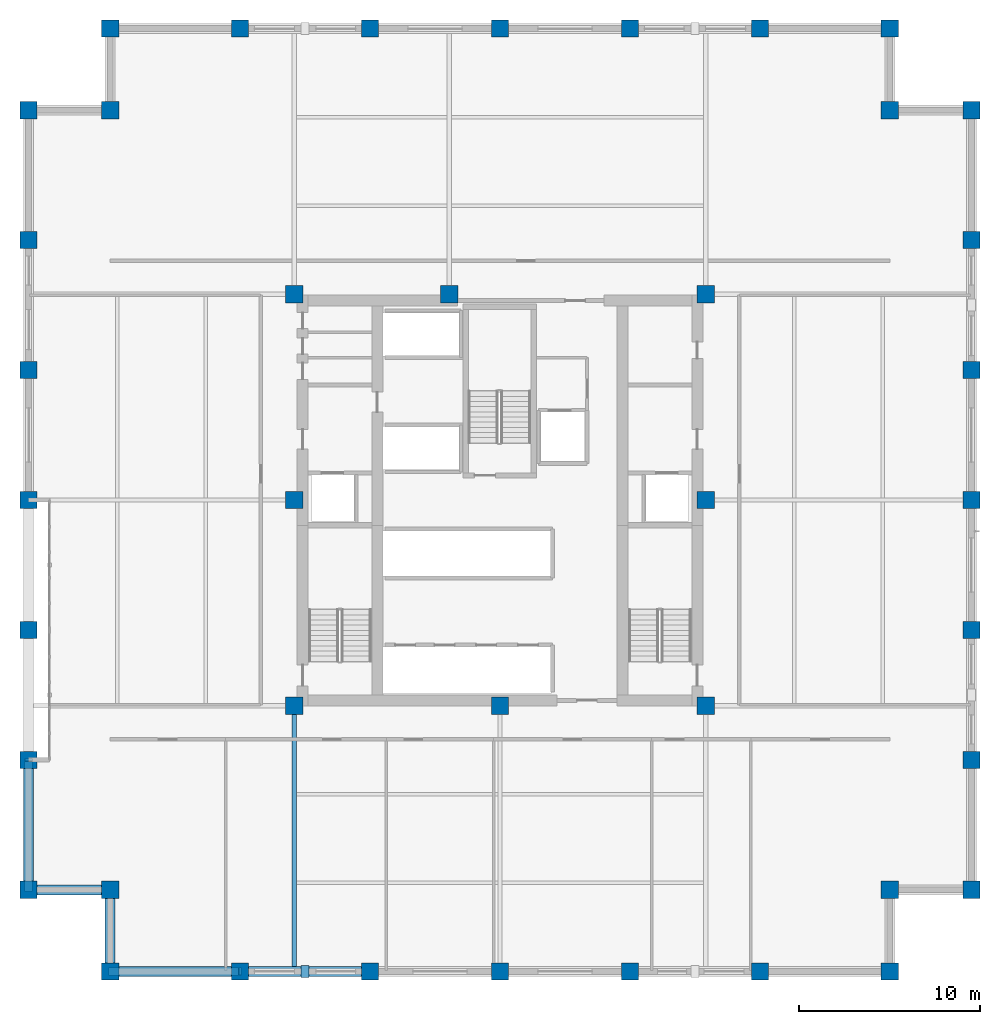
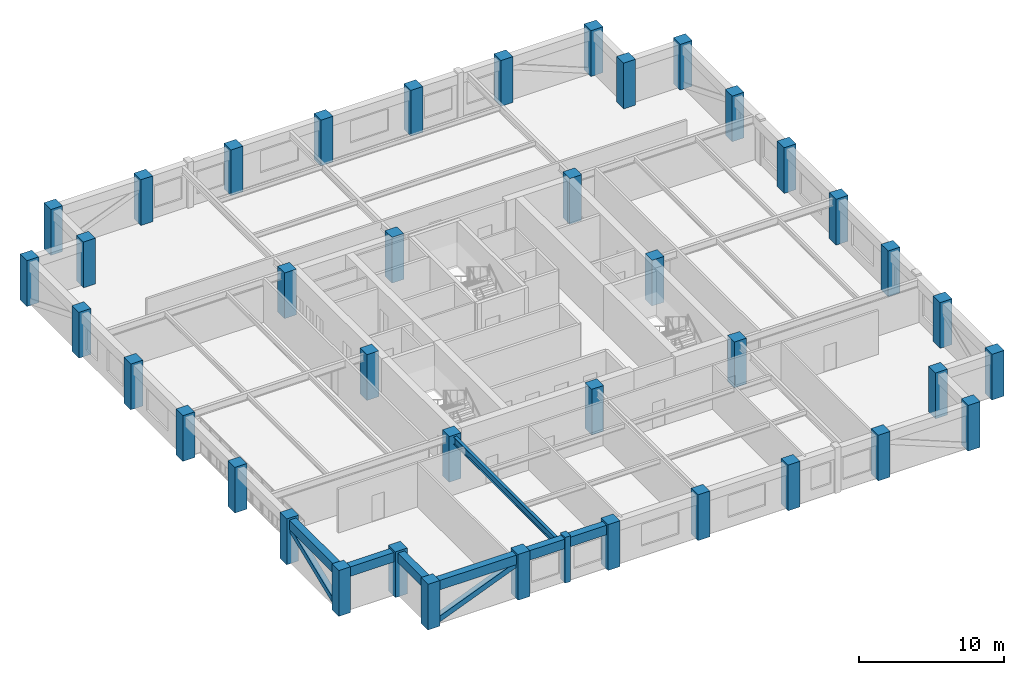
# One storey, part 1 of 12: 40 columns, 6 beams, 3 members.
"""IFC4 building model written with IfcOpenShell, lengths in metres."""

from ifc_helpers import new_model, si_unit, direction, frame, origin, origin_2d, place, context, subcontext, project, spatial, rectangle, hollow_rectangle, i_section, extrude, material, material_profile, profile_set, type_object, element, save


model = new_model("IFC4")

# Units and contexts
model_context = context("Model", 3, precision=1e-05, world=origin(), true_north=direction((0.0, 1.0)))
body_context = subcontext(model_context, "Body", "Model", "MODEL_VIEW")
ifc_project = project(units=[si_unit("LENGTHUNIT", "METRE"), si_unit("AREAUNIT", "SQUARE_METRE"), si_unit("VOLUMEUNIT", "CUBIC_METRE"), si_unit("PLANEANGLEUNIT", "RADIAN"), si_unit("MASSUNIT", "GRAM", prefix="KILO")], contexts=[model_context])

# Site, building, storey
site_placement = place(None, origin())
site = spatial("IfcSite", under=ifc_project, at=site_placement, CompositionType="ELEMENT")
building_placement = place(site_placement, origin())
building = spatial("IfcBuilding", under=site, at=building_placement, Name="Nhamokura Convention Tower", CompositionType="ELEMENT")
storey_placement = place(building_placement, frame((0.0, 0.0, 164.5)))
storey = spatial("IfcBuildingStorey", under=building, at=storey_placement, Name="L40", CompositionType="ELEMENT", Elevation=164.5)

# Columns
ifc_material_1 = material(Name="Concrete C60/75", Category="concrete")
ifc_material_profile_1 = material_profile(ifc_material_1, rectangle(XDim=0.949951171875, YDim=0.949951171875, at=origin_2d()))
ifc_profile_set_1 = profile_set([ifc_material_profile_1], Name="Concrete C60/75")
column_type = type_object("IfcColumnType", Name="TubeColumn_Z2_950", PredefinedType="COLUMN", material=ifc_profile_set_1)
for number, where, z_axis, x_axis, name in (
    (1, (20.64990234375, 20.64990234375, 0.0), (0.0, 0.0, 1.0), (1.0, 0.0, 0.0), "L40 Core Column CC-SW"),
    (2, (32.0, 20.64990234375, 0.0), (0.0, 0.0, 1.0), (1.0, 0.0, 0.0), "L40 Core Column CC-S"),
    (3, (43.35009765625, 20.64990234375, 0.0), (0.0, 0.0, 1.0), (1.0, 0.0, 0.0), "L40 Core Column CC-SE"),
    (4, (43.35009765625, 32.0, 0.0), (0.0, 0.0, 1.0), (1.0, 0.0, 0.0), "L40 Core Column CC-E"),
    (5, (43.35009765625, 43.35009765625, 0.0), (0.0, 0.0, 1.0), (1.0, 0.0, 0.0), "L40 Core Column CC-NE"),
    (6, (29.199951171875, 43.35009765625, 0.0), (0.0, 0.0, 1.0), (1.0, 0.0, 0.0), "L40 Core Column CC-N"),
    (7, (20.64990234375, 43.35009765625, 0.0), (0.0, 0.0, 1.0), (1.0, 0.0, 0.0), "L40 Core Column CC-NW"),
    (8, (20.64990234375, 32.0, 0.0), (0.0, 0.0, 1.0), (1.0, 0.0, 0.0), "L40 Core Column CC-W"),
    (9, (10.5, 6.0, 0.0), (0.0, 0.0, 1.0), (1.0, 0.0, 0.0), "L40 Perimeter Tube Column SW1"),
    (10, (10.5, 10.5, 0.0), (0.0, 0.0, 1.0), (1.0, 0.0, 0.0), "L40 Perimeter Tube Column SW0"),
    (11, (6.0, 10.5, 0.0), (0.0, 0.0, 1.0), (1.0, 0.0, 0.0), "L40 Perimeter Tube Column SW2"),
    (12, (53.5, 6.0, 0.0), (0.0, 0.0, 1.0), (1.0, 0.0, 0.0), "L40 Perimeter Tube Column SE1"),
    (13, (53.5, 10.5, 0.0), (0.0, 0.0, 1.0), (1.0, 0.0, 0.0), "L40 Perimeter Tube Column SE0"),
    (14, (58.0, 10.5, 0.0), (0.0, 0.0, 1.0), (1.0, 0.0, 0.0), "L40 Perimeter Tube Column SE2"),
    (15, (58.0, 53.5, 0.0), (0.0, 0.0, 1.0), (1.0, 0.0, 0.0), "L40 Perimeter Tube Column NE1"),
    (16, (53.5, 53.5, 0.0), (0.0, 0.0, 1.0), (1.0, 0.0, 0.0), "L40 Perimeter Tube Column NE0"),
    (17, (53.5, 58.0, 0.0), (0.0, 0.0, 1.0), (1.0, 0.0, 0.0), "L40 Perimeter Tube Column NE2"),
    (18, (10.5, 58.0, 0.0), (0.0, 0.0, 1.0), (1.0, 0.0, 0.0), "L40 Perimeter Tube Column NW1"),
    (19, (10.5, 53.5, 0.0), (0.0, 0.0, 1.0), (1.0, 0.0, 0.0), "L40 Perimeter Tube Column NW0"),
    (20, (6.0, 53.5, 0.0), (0.0, 0.0, 1.0), (1.0, 0.0, 0.0), "L40 Perimeter Tube Column NW2"),
    (21, (17.666748046875, 6.0, 0.0), (0.0, 0.0, 1.0), (1.0, 0.0, 0.0), "L40 Perimeter Tube Column S1"),
    (22, (17.666748046875, 58.0, 0.0), (0.0, 0.0, 1.0), (1.0, 0.0, 0.0), "L40 Perimeter Tube Column N1"),
    (23, (6.0, 17.666748046875, 0.0), (0.0, 0.0, 1.0), (1.0, 0.0, 0.0), "L40 Perimeter Tube Column W1"),
    (24, (58.0, 17.666748046875, 0.0), (0.0, 0.0, 1.0), (1.0, 0.0, 0.0), "L40 Perimeter Tube Column E1"),
    (25, (24.833251953125, 6.0, 0.0), (0.0, 0.0, 1.0), (1.0, 0.0, 0.0), "L40 Perimeter Tube Column S2"),
    (26, (24.833251953125, 58.0, 0.0), (0.0, 0.0, 1.0), (1.0, 0.0, 0.0), "L40 Perimeter Tube Column N2"),
    (27, (6.0, 24.833251953125, 0.0), (0.0, 0.0, 1.0), (1.0, 0.0, 0.0), "L40 Perimeter Tube Column W2"),
    (28, (58.0, 24.833251953125, 0.0), (0.0, 0.0, 1.0), (1.0, 0.0, 0.0), "L40 Perimeter Tube Column E2"),
    (29, (32.0, 6.0, 0.0), (0.0, 0.0, 1.0), (1.0, 0.0, 0.0), "L40 Perimeter Tube Column S3"),
    (30, (32.0, 58.0, 0.0), (0.0, 0.0, 1.0), (1.0, 0.0, 0.0), "L40 Perimeter Tube Column N3"),
    (31, (6.0, 32.0, 0.0), (0.0, 0.0, 1.0), (1.0, 0.0, 0.0), "L40 Perimeter Tube Column W3"),
    (32, (58.0, 32.0, 0.0), (0.0, 0.0, 1.0), (1.0, 0.0, 0.0), "L40 Perimeter Tube Column E3"),
    (33, (39.166748046875, 6.0, 0.0), (0.0, 0.0, 1.0), (1.0, 0.0, 0.0), "L40 Perimeter Tube Column S4"),
    (34, (39.166748046875, 58.0, 0.0), (0.0, 0.0, 1.0), (1.0, 0.0, 0.0), "L40 Perimeter Tube Column N4"),
    (35, (6.0, 39.166748046875, 0.0), (0.0, 0.0, 1.0), (1.0, 0.0, 0.0), "L40 Perimeter Tube Column W4"),
    (36, (58.0, 39.166748046875, 0.0), (0.0, 0.0, 1.0), (1.0, 0.0, 0.0), "L40 Perimeter Tube Column E4"),
    (37, (46.333251953125, 6.0, 0.0), (0.0, 0.0, 1.0), (1.0, 0.0, 0.0), "L40 Perimeter Tube Column S5"),
    (38, (46.333251953125, 58.0, 0.0), (0.0, 0.0, 1.0), (1.0, 0.0, 0.0), "L40 Perimeter Tube Column N5"),
    (39, (6.0, 46.333251953125, 0.0), (0.0, 0.0, 1.0), (1.0, 0.0, 0.0), "L40 Perimeter Tube Column W5"),
    (40, (58.0, 46.333251953125, 0.0), (0.0, 0.0, 1.0), (1.0, 0.0, 0.0), "L40 Perimeter Tube Column E5"),
):
    element("IfcColumn", number, at=place(storey_placement, frame(where, z_axis=z_axis, x_axis=x_axis)), inside=storey, type_object=column_type, Name=name, PredefinedType="COLUMN", context=body_context, shape_type="SweptSolid", body=[
        extrude(rectangle(XDim=0.949951171875, YDim=0.949951171875, at=origin_2d()), origin(), (0.0, 0.0, 1.0), 3.85009765625),
    ])

# Member
ifc_material_2 = material(Name="Bronze-pigmented precast concrete C45/55", Category="concrete")
ifc_material_profile_2 = material_profile(ifc_material_2, rectangle(XDim=0.449951171875, YDim=0.64990234375, at=origin_2d()))
ifc_profile_set_2 = profile_set([ifc_material_profile_2], Name="Bronze-pigmented precast concrete C45/55")
member_type_1 = type_object("IfcMemberType", Name="BronzePilaster_650", PredefinedType="USERDEFINED", material=ifc_profile_set_2)
member_placement = place(storey_placement, frame((21.25, 6.0, 0.0), z_axis=(0.0, 0.0, 1.0), x_axis=(1.0, 0.0, 0.0)))
element("IfcMember", 41, at=member_placement, inside=storey, type_object=member_type_1, Name="L40 Engaged Frame Pilaster SOUTH 1", ObjectType="PILASTER_TRIM", PredefinedType="USERDEFINED", context=body_context, shape_type="SweptSolid", body=[
    extrude(rectangle(XDim=0.449951171875, YDim=0.64990234375, at=origin_2d()), origin(), (0.0, 0.0, 1.0), 3.85009765625),
])

# Beam
ifc_material_3 = material(Name="Steel ASTM A992 Gr 50", Category="steel")
ifc_material_profile_3 = material_profile(ifc_material_3, i_section(OverallWidth=0.22998046875, OverallDepth=0.616943359375, WebThickness=0.01318359375, FlangeThickness=0.022216796875, at=origin_2d()))
ifc_profile_set_3 = profile_set([ifc_material_profile_3], Name="Steel ASTM A992 Gr 50")
beam_type_1 = type_object("IfcBeamType", Name="PrimaryGirder_W610X140", PredefinedType="BEAM", material=ifc_profile_set_3)
beam_1_placement = place(storey_placement, frame((20.64990234375, 6.0, 3.37646484375), z_axis=(0.0, 1.0, 0.0), x_axis=(-1.0, 0.0, 0.0)))
element("IfcBeam", 42, at=beam_1_placement, inside=storey, type_object=beam_type_1, Name="L40 Primary Floor Girder PG-S1", PredefinedType="BEAM", context=body_context, shape_type="SweptSolid", body=[
    extrude(i_section(OverallWidth=0.22998046875, OverallDepth=0.616943359375, WebThickness=0.01318359375, FlangeThickness=0.022216796875, at=origin_2d()), origin(), (0.0, 0.0, 1.0), 14.64990234375),
])

# Members
ifc_material_4 = material(Name="Steel ASTM A572 Gr 50", Category="steel")
ifc_material_profile_4 = material_profile(ifc_material_4, hollow_rectangle(XDim=0.449951171875, YDim=0.449951171875, WallThickness=0.02197265625, at=origin_2d()))
ifc_profile_set_4 = profile_set([ifc_material_profile_4], Name="Steel ASTM A572 Gr 50")
member_type_2 = type_object("IfcMemberType", Name="TubeBrace_HSS450", PredefinedType="BRACE", material=ifc_profile_set_4)
for number, where, z_axis, x_axis, name in (
    (43, (10.5, 6.0, 0.14990234375), (0.927657166893, 0.0, 0.373432966826), (0.0, 1.0, 0.0), "L40 Perimeter Tube Brace SOUTH Bay 0"),
    (44, (6.0, 10.5, 0.14990234375), (0.0, 0.927657166893, 0.373432966826), (-1.0, 0.0, 0.0), "L40 Perimeter Tube Brace WEST Bay 0"),
):
    element("IfcMember", number, at=place(storey_placement, frame(where, z_axis=z_axis, x_axis=x_axis)), inside=storey, type_object=member_type_2, Name=name, PredefinedType="BRACE", context=body_context, shape_type="SweptSolid", body=[
        extrude(hollow_rectangle(XDim=0.449951171875, YDim=0.449951171875, WallThickness=0.02197265625, at=origin_2d()), origin(), (0.0, 0.0, 1.0), 7.7255859375),
    ])

# Beams
ifc_material_5 = material(Name="Concrete C50/60", Category="concrete")
ifc_material_profile_5 = material_profile(ifc_material_5, rectangle(XDim=0.550048828125, YDim=0.800048828125, at=origin_2d()))
ifc_profile_set_5 = profile_set([ifc_material_profile_5], Name="Concrete C50/60")
beam_type_2 = type_object("IfcBeamType", Name="TubeSpandrel_800", PredefinedType="SPANDREL", material=ifc_profile_set_5)
beam_2_placement = place(storey_placement, frame((10.5, 6.0, 3.284912109375), z_axis=(1.0, 0.0, 0.0), x_axis=(0.0, 1.0, 0.0)))
element("IfcBeam", 45, at=beam_2_placement, inside=storey, type_object=beam_type_2, Name="L40 Perimeter Spandrel SOUTH 1", PredefinedType="SPANDREL", context=body_context, shape_type="SweptSolid", body=[
    extrude(rectangle(XDim=0.550048828125, YDim=0.800048828125, at=origin_2d()), origin(), (0.0, 0.0, 1.0), 7.166748046875),
])
beam_3_placement = place(storey_placement, frame((17.666748046875, 6.0, 3.284912109375), z_axis=(1.0, 0.0, 0.0), x_axis=(0.0, 1.0, 0.0)))
element("IfcBeam", 46, at=beam_3_placement, inside=storey, type_object=beam_type_2, Name="L40 Perimeter Spandrel SOUTH 2", PredefinedType="SPANDREL", context=body_context, shape_type="SweptSolid", body=[
    extrude(rectangle(XDim=0.550048828125, YDim=0.800048828125, at=origin_2d()), origin(), (0.0, 0.0, 1.0), 7.16650390625),
])
beam_4_placement = place(storey_placement, frame((6.0, 10.5, 3.284912109375), z_axis=(0.0, 1.0, 0.0), x_axis=(-1.0, 0.0, 0.0)))
element("IfcBeam", 47, at=beam_4_placement, inside=storey, type_object=beam_type_2, Name="L40 Perimeter Spandrel WEST 1", PredefinedType="SPANDREL", context=body_context, shape_type="SweptSolid", body=[
    extrude(rectangle(XDim=0.550048828125, YDim=0.800048828125, at=origin_2d()), origin(), (0.0, 0.0, 1.0), 7.166748046875),
])
for number, where, z_axis, x_axis, name in (
    (48, (10.5, 6.0, 3.284912109375), (0.0, 1.0, 0.0), (-1.0, 0.0, 0.0), "L40 Notch Spandrel SW1"),
    (49, (10.5, 10.5, 3.284912109375), (-1.0, 0.0, 0.0), (0.0, -1.0, 0.0), "L40 Notch Spandrel SW2"),
):
    element("IfcBeam", number, at=place(storey_placement, frame(where, z_axis=z_axis, x_axis=x_axis)), inside=storey, type_object=beam_type_2, Name=name, PredefinedType="SPANDREL", context=body_context, shape_type="SweptSolid", body=[
        extrude(rectangle(XDim=0.550048828125, YDim=0.800048828125, at=origin_2d()), origin(), (0.0, 0.0, 1.0), 4.5),
    ])

save(model, "model.ifc")
